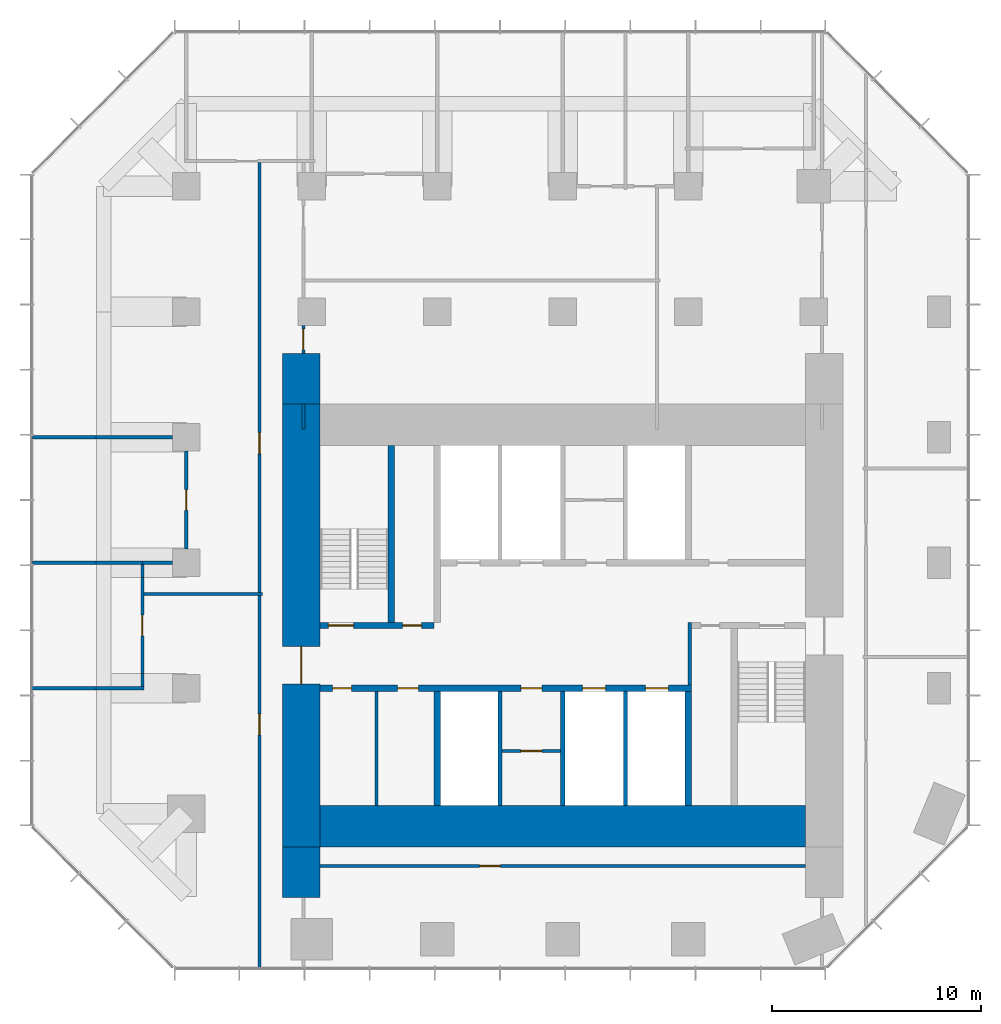
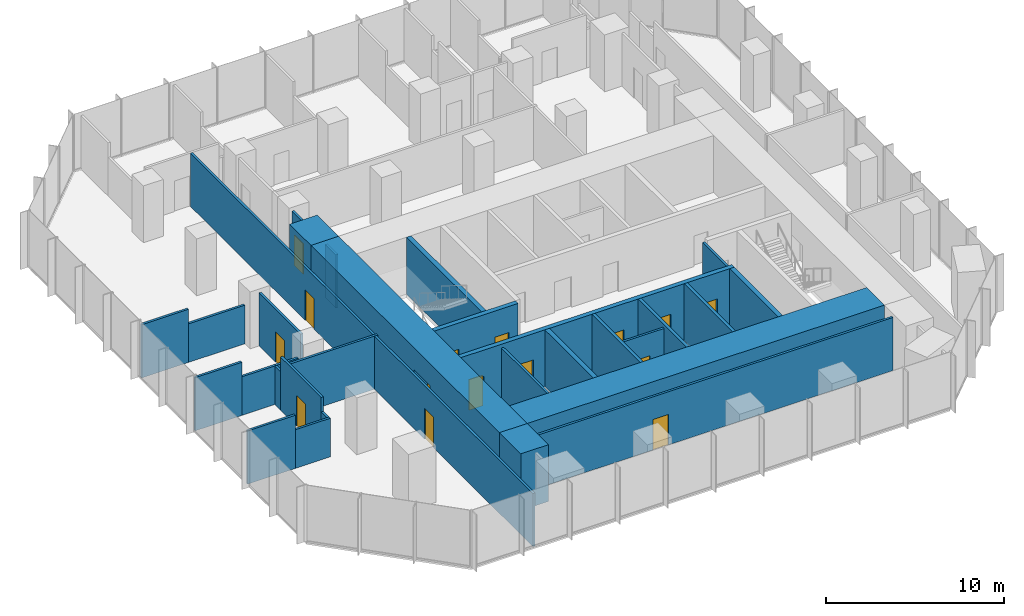
# One storey, part 8 of 11: 32 walls, 15 doors, 15 openings.
"""IFC4 building model written with IfcOpenShell, lengths in metres."""

from ifc_helpers import new_model, si_unit, direction, frame, frame_2d, origin, place, context, subcontext, project, spatial, rectangle, extrude, material, layer, layer_set, type_object, element, fill, save


model = new_model("IFC4")

# Units and contexts
model_context = context("Model", 3, precision=1e-05, world=origin(), true_north=direction((0.0, 1.0)))
body_context = subcontext(model_context, "Body", "Model", "MODEL_VIEW")
ifc_project = project(units=[si_unit("LENGTHUNIT", "METRE"), si_unit("AREAUNIT", "SQUARE_METRE"), si_unit("VOLUMEUNIT", "CUBIC_METRE"), si_unit("PLANEANGLEUNIT", "RADIAN"), si_unit("MASSUNIT", "GRAM", prefix="KILO")], contexts=[model_context])

# Site, building, storey
site_placement = place(None, origin())
site = spatial("IfcSite", under=ifc_project, at=site_placement, CompositionType="ELEMENT")
building_placement = place(site_placement, origin())
building = spatial("IfcBuilding", under=site, at=building_placement, Name="Highveld Stack Headquarters", CompositionType="ELEMENT")
storey_placement = place(building_placement, frame((0.0, 0.0, 204.5)))
storey = spatial("IfcBuildingStorey", under=building, at=storey_placement, Name="L50", CompositionType="ELEMENT", Elevation=204.5)

# Wall, opening, door
ifc_material_1 = material(Name="Concrete C60/75", Category="concrete")
ifc_layer_1 = layer(ifc_material_1, 1.800048828125)
ifc_layer_set_1 = layer_set([ifc_layer_1], Name="Concrete C60/75")
wall_type_1 = type_object("IfcWallType", Name="CORE WALL 1800 C60/75", PredefinedType="SHEAR", material=ifc_layer_set_1)
wall_1_placement = place(storey_placement, frame((-6.5, -7.60009765625, 0.0), z_axis=(0.0, 0.0, 1.0), x_axis=(0.0, 1.0, 0.0)))
wall_1 = element("IfcWall", 1, at=wall_1_placement, inside=storey, type_object=wall_type_1, Name="Core wall W L50", PredefinedType="SHEAR", context=body_context, shape_type="SweptSolid", body=[
    extrude(rectangle(XDim=21.2001953125, YDim=1.800048828125, at=frame_2d((10.60009765625, 0.0))), origin(), (0.0, 0.0, 1.0), 3.89990234375),
])
opening_1_placement = place(wall_1_placement, frame((7.800048828125, 0.0, 0.0)))
opening_1 = element("IfcOpeningElement", 2, at=opening_1_placement, cuts=wall_1, Name="Opening L50-01", PredefinedType="OPENING", context=body_context, shape_type="SweptSolid", body=[
    extrude(rectangle(XDim=1.800048828125, YDim=2.39990234375, at=frame_2d((0.89990234375, 1.199951171875))), frame((0.0, 0.909912109375, 0.0), z_axis=(0.0, -1.0, 0.0), x_axis=(1.0, 0.0, 0.0)), (0.0, 0.0, 1.0), 1.820068359375),
])
ifc_material_2 = material(Name="Steel fire door", Category="steel")
door_type_1 = type_object("IfcDoorType", Name="LOBBY FIRE DOOR D4 1800x2400", OperationType="DOUBLE_DOOR_SINGLE_SWING", PredefinedType="DOOR", material=ifc_material_2)
door_1_placement = place(opening_1_placement, origin())
door_1 = element("IfcDoor", 3, at=door_1_placement, inside=storey, type_object=door_type_1, Name="Core west door L50", OperationType="DOUBLE_DOOR_SINGLE_SWING", OverallHeight=2.39990234375, OverallWidth=1.800048828125, PredefinedType="DOOR", context=body_context, shape_type="SweptSolid", body=[
    extrude(rectangle(XDim=1.800048828125, YDim=2.39990234375, at=frame_2d((0.89990234375, 1.199951171875))), frame((0.0, 0.02490234375, 0.0), z_axis=(0.0, -1.0, 0.0), x_axis=(1.0, 0.0, 0.0)), (0.0, 0.0, 1.0), 0.050048828125),
])
fill(opening_1, door_1)

# Wall
ifc_material_3 = material(Name="Concrete C60/75", Category="concrete")
ifc_layer_2 = layer(ifc_material_3, 2.0)
ifc_layer_set_2 = layer_set([ifc_layer_2], Name="Concrete C60/75")
wall_type_2 = type_object("IfcWallType", Name="CORE WALL 2000 C60/75", PredefinedType="SHEAR", material=ifc_layer_set_2)
wall_2_placement = place(storey_placement, frame((-5.60009765625, -6.60009765625, 0.0), z_axis=(0.0, 0.0, 1.0), x_axis=(1.0, 0.0, 0.0)))
element("IfcWall", 4, at=wall_2_placement, inside=storey, type_object=wall_type_2, Name="Core wall S L50", PredefinedType="SHEAR", context=body_context, shape_type="SweptSolid", body=[
    extrude(rectangle(XDim=23.2001953125, YDim=2.0, at=frame_2d((11.60009765625, 0.0))), origin(), (0.0, 0.0, 1.0), 3.89990234375),
])

# Wall, openings, doors
ifc_material_4 = material(Name="Concrete C60/75", Category="concrete")
ifc_layer_3 = layer(ifc_material_4, 0.300048828125)
ifc_layer_set_3 = layer_set([ifc_layer_3], Name="Concrete C60/75")
wall_type_3 = type_object("IfcWallType", Name="CORE WALL 300 C60/75", PredefinedType="SHEAR", material=ifc_layer_set_3)
wall_3_placement = place(storey_placement, frame((-5.60009765625, 0.0, 0.0), z_axis=(0.0, 0.0, 1.0), x_axis=(1.0, 0.0, 0.0)))
wall_3 = element("IfcWall", 5, at=wall_3_placement, inside=storey, type_object=wall_type_3, Name="Core wall I-Y0 L50", PredefinedType="SHEAR", context=body_context, shape_type="SweptSolid", body=[
    extrude(rectangle(XDim=17.75, YDim=0.300048828125, at=frame_2d((8.875, 0.0))), origin(), (0.0, 0.0, 1.0), 3.89990234375),
])
opening_2_placement = place(wall_3_placement, frame((0.60009765625, 0.0, 0.0)))
opening_2 = element("IfcOpeningElement", 6, at=opening_2_placement, cuts=wall_3, Name="Opening L50-07", PredefinedType="OPENING", context=body_context, shape_type="SweptSolid", body=[
    extrude(rectangle(XDim=0.89990234375, YDim=2.10009765625, at=frame_2d((0.449951171875, 1.050048828125))), frame((0.0, 0.159912109375, 0.0), z_axis=(0.0, -1.0, 0.0), x_axis=(1.0, 0.0, 0.0)), (0.0, 0.0, 1.0), 0.320068359375),
])
opening_3_placement = place(wall_3_placement, frame((3.699951171875, 0.0, 0.0)))
opening_3 = element("IfcOpeningElement", 7, at=opening_3_placement, cuts=wall_3, Name="Opening L50-08", PredefinedType="OPENING", context=body_context, shape_type="SweptSolid", body=[
    extrude(rectangle(XDim=1.0, YDim=2.10009765625, at=frame_2d((0.5, 1.050048828125))), frame((0.0, 0.159912109375, 0.0), z_axis=(0.0, -1.0, 0.0), x_axis=(1.0, 0.0, 0.0)), (0.0, 0.0, 1.0), 0.320068359375),
])
opening_4_placement = place(wall_3_placement, frame((9.60009765625, 0.0, 0.0)))
opening_4 = element("IfcOpeningElement", 8, at=opening_4_placement, cuts=wall_3, Name="Opening L50-13", PredefinedType="OPENING", context=body_context, shape_type="SweptSolid", body=[
    extrude(rectangle(XDim=1.0, YDim=2.10009765625, at=frame_2d((0.5, 1.050048828125))), frame((0.0, 0.159912109375, 0.0), z_axis=(0.0, -1.0, 0.0), x_axis=(1.0, 0.0, 0.0)), (0.0, 0.0, 1.0), 0.320068359375),
])
opening_5_placement = place(wall_3_placement, frame((12.550048828125, 0.0, 0.0)))
opening_5 = element("IfcOpeningElement", 9, at=opening_5_placement, cuts=wall_3, Name="Opening LD", PredefinedType="OPENING", context=body_context, shape_type="SweptSolid", body=[
    extrude(rectangle(XDim=1.10009765625, YDim=2.10009765625, at=frame_2d((0.550048828125, 1.050048828125))), frame((0.0, 0.159912109375, 0.0), z_axis=(0.0, -1.0, 0.0), x_axis=(1.0, 0.0, 0.0)), (0.0, 0.0, 1.0), 0.320068359375),
])
opening_6_placement = place(wall_3_placement, frame((15.550048828125, 0.0, 0.0)))
opening_6 = element("IfcOpeningElement", 10, at=opening_6_placement, cuts=wall_3, Name="Opening LD", PredefinedType="OPENING", context=body_context, shape_type="SweptSolid", body=[
    extrude(rectangle(XDim=1.10009765625, YDim=2.10009765625, at=frame_2d((0.550048828125, 1.050048828125))), frame((0.0, 0.159912109375, 0.0), z_axis=(0.0, -1.0, 0.0), x_axis=(1.0, 0.0, 0.0)), (0.0, 0.0, 1.0), 0.320068359375),
])
ifc_material_5 = material(Name="Timber door, painted", Category="wood")
door_type_2 = type_object("IfcDoorType", Name="ACCESSIBLE WC DOOR D2 1000x2100", OperationType="SINGLE_SWING_RIGHT", PredefinedType="DOOR", material=ifc_material_5)
door_2_placement = place(opening_3_placement, origin())
door_2 = element("IfcDoor", 11, at=door_2_placement, inside=storey, type_object=door_type_2, Name="Accessible WC door L50", OperationType="SINGLE_SWING_LEFT", OverallHeight=2.10009765625, OverallWidth=1.0, PredefinedType="DOOR", context=body_context, shape_type="SweptSolid", body=[
    extrude(rectangle(XDim=1.0, YDim=2.10009765625, at=frame_2d((0.5, 1.050048828125))), frame((0.0, 0.02490234375, 0.0), z_axis=(0.0, -1.0, 0.0), x_axis=(1.0, 0.0, 0.0)), (0.0, 0.0, 1.0), 0.050048828125),
])
fill(opening_3, door_2)
ifc_material_6 = material(Name="Steel fire door", Category="steel")
door_type_3 = type_object("IfcDoorType", Name="CORE ROOM FIRE DOOR D14 1000x2100", OperationType="SINGLE_SWING_LEFT", PredefinedType="DOOR", material=ifc_material_6)
door_3_placement = place(opening_4_placement, origin())
door_3 = element("IfcDoor", 12, at=door_3_placement, inside=storey, type_object=door_type_3, Name="Capped B 1 door L50", OperationType="SINGLE_SWING_RIGHT", OverallHeight=2.10009765625, OverallWidth=1.0, PredefinedType="DOOR", context=body_context, shape_type="SweptSolid", body=[
    extrude(rectangle(XDim=1.0, YDim=2.10009765625, at=frame_2d((0.5, 1.050048828125))), frame((0.0, 0.02490234375, 0.0), z_axis=(0.0, -1.0, 0.0), x_axis=(1.0, 0.0, 0.0)), (0.0, 0.0, 1.0), 0.050048828125),
])
fill(opening_4, door_3)
ifc_material_7 = material(Name="Stainless steel lift landing door", Category="steel")
door_type_4 = type_object("IfcDoorType", Name="LIFT LANDING DOOR LD 1100x2100", OperationType="DOUBLE_DOOR_SLIDING", PredefinedType="USERDEFINED", material=ifc_material_7)
door_4_placement = place(opening_5_placement, origin())
door_4 = element("IfcDoor", 13, at=door_4_placement, inside=storey, type_object=door_type_4, Name="Lift landing door C1 L50", ObjectType="LIFT LANDING DOOR", OperationType="DOUBLE_DOOR_SLIDING", OverallHeight=2.10009765625, OverallWidth=1.10009765625, PredefinedType="USERDEFINED", context=body_context, shape_type="SweptSolid", body=[
    extrude(rectangle(XDim=1.10009765625, YDim=2.10009765625, at=frame_2d((0.550048828125, 1.050048828125))), frame((0.0, 0.02490234375, 0.0), z_axis=(0.0, -1.0, 0.0), x_axis=(1.0, 0.0, 0.0)), (0.0, 0.0, 1.0), 0.050048828125),
])
fill(opening_5, door_4)
door_5_placement = place(opening_6_placement, origin())
door_5 = element("IfcDoor", 14, at=door_5_placement, inside=storey, type_object=door_type_4, Name="Lift landing door C2 L50", ObjectType="LIFT LANDING DOOR", OperationType="DOUBLE_DOOR_SLIDING", OverallHeight=2.10009765625, OverallWidth=1.10009765625, PredefinedType="USERDEFINED", context=body_context, shape_type="SweptSolid", body=[
    extrude(rectangle(XDim=1.10009765625, YDim=2.10009765625, at=frame_2d((0.550048828125, 1.050048828125))), frame((0.0, 0.02490234375, 0.0), z_axis=(0.0, -1.0, 0.0), x_axis=(1.0, 0.0, 0.0)), (0.0, 0.0, 1.0), 0.050048828125),
])
fill(opening_6, door_5)
ifc_material_8 = material(Name="Timber door, painted", Category="wood")
door_type_5 = type_object("IfcDoorType", Name="WC DOOR D1 900x2100", OperationType="SINGLE_SWING_LEFT", PredefinedType="DOOR", material=ifc_material_8)
door_6_placement = place(opening_2_placement, origin())
door_6 = element("IfcDoor", 15, at=door_6_placement, inside=storey, type_object=door_type_5, Name="Female WC door L50", OperationType="SINGLE_SWING_LEFT", OverallHeight=2.10009765625, OverallWidth=0.89990234375, PredefinedType="DOOR", context=body_context, shape_type="SweptSolid", body=[
    extrude(rectangle(XDim=0.89990234375, YDim=2.10009765625, at=frame_2d((0.449951171875, 1.050048828125))), frame((0.0, 0.02490234375, 0.0), z_axis=(0.0, -1.0, 0.0), x_axis=(1.0, 0.0, 0.0)), (0.0, 0.0, 1.0), 0.050048828125),
])
fill(opening_2, door_6)

wall_4_placement = place(storey_placement, frame((-5.60009765625, 3.0, 0.0), z_axis=(0.0, 0.0, 1.0), x_axis=(1.0, 0.0, 0.0)))
wall_4 = element("IfcWall", 16, at=wall_4_placement, inside=storey, type_object=wall_type_3, Name="Core wall I-Y3W L50", PredefinedType="SHEAR", context=body_context, shape_type="SweptSolid", body=[
    extrude(rectangle(XDim=5.4501953125, YDim=0.300048828125, at=frame_2d((2.72509765625, 0.0))), origin(), (0.0, 0.0, 1.0), 3.89990234375),
])
opening_7_placement = place(wall_4_placement, frame((0.39990234375, 0.0, 0.0)))
opening_7 = element("IfcOpeningElement", 17, at=opening_7_placement, cuts=wall_4, Name="Opening L50-03", PredefinedType="OPENING", context=body_context, shape_type="SweptSolid", body=[
    extrude(rectangle(XDim=1.199951171875, YDim=2.10009765625, at=frame_2d((0.60009765625, 1.050048828125))), frame((0.0, 0.159912109375, 0.0), z_axis=(0.0, -1.0, 0.0), x_axis=(1.0, 0.0, 0.0)), (0.0, 0.0, 1.0), 0.320068359375),
])
opening_8_placement = place(wall_4_placement, frame((3.949951171875, 0.0, 0.0)))
opening_8 = element("IfcOpeningElement", 18, at=opening_8_placement, cuts=wall_4, Name="Opening L50-04", PredefinedType="OPENING", context=body_context, shape_type="SweptSolid", body=[
    extrude(rectangle(XDim=0.89990234375, YDim=2.10009765625, at=frame_2d((0.449951171875, 1.050048828125))), frame((0.0, 0.159912109375, 0.0), z_axis=(0.0, -1.0, 0.0), x_axis=(1.0, 0.0, 0.0)), (0.0, 0.0, 1.0), 0.320068359375),
])
ifc_material_9 = material(Name="Steel fire door", Category="steel")
door_type_6 = type_object("IfcDoorType", Name="RISER ACCESS DOOR D5 900x2100", OperationType="SINGLE_SWING_LEFT", PredefinedType="DOOR", material=ifc_material_9)
door_7_placement = place(opening_8_placement, origin())
door_7 = element("IfcDoor", 19, at=door_7_placement, inside=storey, type_object=door_type_6, Name="Riser R1 door L50", OperationType="SINGLE_SWING_RIGHT", OverallHeight=2.10009765625, OverallWidth=0.89990234375, PredefinedType="DOOR", context=body_context, shape_type="SweptSolid", body=[
    extrude(rectangle(XDim=0.89990234375, YDim=2.10009765625, at=frame_2d((0.449951171875, 1.050048828125))), frame((0.0, 0.02490234375, 0.0), z_axis=(0.0, -1.0, 0.0), x_axis=(1.0, 0.0, 0.0)), (0.0, 0.0, 1.0), 0.050048828125),
])
fill(opening_8, door_7)
ifc_material_10 = material(Name="Steel fire door", Category="steel")
door_type_7 = type_object("IfcDoorType", Name="STAIR FIRE DOOR D3 1200x2100", OperationType="SINGLE_SWING_LEFT", PredefinedType="DOOR", material=ifc_material_10)
door_8_placement = place(opening_7_placement, origin())
door_8 = element("IfcDoor", 20, at=door_8_placement, inside=storey, type_object=door_type_7, Name="Stair S1 door L50", OperationType="SINGLE_SWING_LEFT", OverallHeight=2.10009765625, OverallWidth=1.199951171875, PredefinedType="DOOR", context=body_context, shape_type="SweptSolid", body=[
    extrude(rectangle(XDim=1.199951171875, YDim=2.10009765625, at=frame_2d((0.60009765625, 1.050048828125))), frame((0.0, 0.02490234375, 0.0), z_axis=(0.0, -1.0, 0.0), x_axis=(1.0, 0.0, 0.0)), (0.0, 0.0, 1.0), 0.050048828125),
])
fill(opening_7, door_8)

# Walls
for number, where, z_axis, x_axis, name in (
    (21, (0.0, -5.60009765625, 0.0), (0.0, 0.0, 1.0), (0.0, 1.0, 0.0), "Core wall I-X0S L50"),
    (22, (12.0, -5.60009765625, 0.0), (0.0, 0.0, 1.0), (0.0, 1.0, 0.0), "Core wall I-X12S L50"),
):
    element("IfcWall", number, at=place(storey_placement, frame(where, z_axis=z_axis, x_axis=x_axis)), inside=storey, type_object=wall_type_3, Name=name, PredefinedType="SHEAR", context=body_context, shape_type="SweptSolid", body=[
        extrude(rectangle(XDim=5.4501953125, YDim=0.300048828125, at=frame_2d((2.72509765625, 0.0))), origin(), (0.0, 0.0, 1.0), 3.89990234375),
    ])
wall_5_placement = place(storey_placement, frame((-2.199951171875, 3.14990234375, 0.0), z_axis=(0.0, 0.0, 1.0), x_axis=(0.0, 1.0, 0.0)))
element("IfcWall", 23, at=wall_5_placement, inside=storey, type_object=wall_type_3, Name="Core wall I-RW L50", PredefinedType="SHEAR", context=body_context, shape_type="SweptSolid", body=[
    extrude(rectangle(XDim=8.4501953125, YDim=0.300048828125, at=frame_2d((4.22509765625, 0.0))), origin(), (0.0, 0.0, 1.0), 3.89990234375),
])
ifc_material_11 = material(Name="Concrete C60/75", Category="concrete")
ifc_layer_4 = layer(ifc_material_11, 1.800048828125)
ifc_layer_set_4 = layer_set([ifc_layer_4], Name="Concrete C60/75")
wall_type_4 = type_object("IfcWallType", Name="CORE WING WALL 1800 C60/75", PredefinedType="SHEAR", material=ifc_layer_set_4)
for number, where, z_axis, x_axis, name in (
    (24, (-6.5, -10.0, 0.0), (0.0, 0.0, 1.0), (0.0, 1.0, 0.0), "Core wing wall WS L50"),
    (25, (-6.5, 13.60009765625, 0.0), (0.0, 0.0, 1.0), (0.0, 1.0, 0.0), "Core wing wall WN L50"),
):
    element("IfcWall", number, at=place(storey_placement, frame(where, z_axis=z_axis, x_axis=x_axis)), inside=storey, type_object=wall_type_4, Name=name, PredefinedType="SHEAR", context=body_context, shape_type="SweptSolid", body=[
        extrude(rectangle(XDim=2.39990234375, YDim=1.800048828125, at=frame_2d((1.199951171875, 0.0))), origin(), (0.0, 0.0, 1.0), 3.89990234375),
    ])

# Wall, opening, door
ifc_material_12 = material(Name="Concrete blockwork, plastered", Category="masonry")
ifc_layer_5 = layer(ifc_material_12, 0.14990234375)
ifc_layer_set_5 = layer_set([ifc_layer_5], Name="Concrete blockwork, plastered")
wall_type_5 = type_object("IfcWallType", Name="FIRE PARTITION 150 BLOCKWORK", PredefinedType="PARTITIONING", material=ifc_layer_set_5)
wall_6_placement = place(storey_placement, frame((3.10009765625, -3.0, 0.0), z_axis=(0.0, 0.0, 1.0), x_axis=(1.0, 0.0, 0.0)))
wall_6 = element("IfcWall", 26, at=wall_6_placement, inside=storey, type_object=wall_type_5, Name="Core room partition L50", PredefinedType="PARTITIONING", context=body_context, shape_type="SweptSolid", body=[
    extrude(rectangle(XDim=2.7998046875, YDim=0.14990234375, at=frame_2d((1.39990234375, 0.0))), origin(), (0.0, 0.0, 1.0), 3.64990234375),
])
opening_9_placement = place(wall_6_placement, frame((0.89990234375, 0.0, 0.0)))
opening_9 = element("IfcOpeningElement", 27, at=opening_9_placement, cuts=wall_6, Name="Opening L50-12", PredefinedType="OPENING", context=body_context, shape_type="SweptSolid", body=[
    extrude(rectangle(XDim=1.0, YDim=2.10009765625, at=frame_2d((0.5, 1.050048828125))), frame((0.0, 0.0849609375, 0.0), z_axis=(0.0, -1.0, 0.0), x_axis=(1.0, 0.0, 0.0)), (0.0, 0.0, 1.0), 0.169921875),
])
door_9_placement = place(opening_9_placement, origin())
door_9 = element("IfcDoor", 28, at=door_9_placement, inside=storey, type_object=door_type_3, Name="Capped B 2 door L50", OperationType="SINGLE_SWING_LEFT", OverallHeight=2.10009765625, OverallWidth=1.0, PredefinedType="DOOR", context=body_context, shape_type="SweptSolid", body=[
    extrude(rectangle(XDim=1.0, YDim=2.10009765625, at=frame_2d((0.5, 1.050048828125))), frame((0.0, 0.02490234375, 0.0), z_axis=(0.0, -1.0, 0.0), x_axis=(1.0, 0.0, 0.0)), (0.0, 0.0, 1.0), 0.050048828125),
])
fill(opening_9, door_9)

# Wall
wall_7_placement = place(storey_placement, frame((12.074951171875, 0.14990234375, 0.0), z_axis=(0.0, 0.0, 1.0), x_axis=(0.0, 1.0, 0.0)))
element("IfcWall", 29, at=wall_7_placement, inside=storey, type_object=wall_type_5, Name="Riser R2 enclosure L50", PredefinedType="PARTITIONING", context=body_context, shape_type="SweptSolid", body=[
    extrude(rectangle(XDim=3.0, YDim=0.14990234375, at=frame_2d((1.5, 0.0))), origin(), (0.0, 0.0, 1.0), 3.64990234375),
])

# Wall, opening, door
ifc_material_13 = material(Name="Laminated glass in aluminium frame", Category="aluminium")
ifc_layer_6 = layer(ifc_material_13, 0.14990234375)
ifc_layer_set_6 = layer_set([ifc_layer_6], Name="Laminated glass in aluminium frame")
wall_type_6 = type_object("IfcWallType", Name="GLAZED PARTITION 150", PredefinedType="PARTITIONING", material=ifc_layer_set_6)
wall_8_placement = place(storey_placement, frame((-12.0, 6.659912109375, 0.0), z_axis=(0.0, 0.0, 1.0), x_axis=(0.0, 1.0, 0.0)))
wall_8 = element("IfcWall", 30, at=wall_8_placement, inside=storey, type_object=wall_type_6, Name="Glazed partition Meeting room L50", PredefinedType="PARTITIONING", context=body_context, shape_type="SweptSolid", body=[
    extrude(rectangle(XDim=4.68017578125, YDim=0.14990234375, at=frame_2d((2.340087890625, 0.0))), origin(), (0.0, 0.0, 1.0), 3.64990234375),
])
opening_10_placement = place(wall_8_placement, frame((1.840087890625, 0.0, 0.0)))
opening_10 = element("IfcOpeningElement", 31, at=opening_10_placement, cuts=wall_8, Name="Opening L50-15", PredefinedType="OPENING", context=body_context, shape_type="SweptSolid", body=[
    extrude(rectangle(XDim=1.0, YDim=2.10009765625, at=frame_2d((0.5, 1.050048828125))), frame((0.0, 0.0849609375, 0.0), z_axis=(0.0, -1.0, 0.0), x_axis=(1.0, 0.0, 0.0)), (0.0, 0.0, 1.0), 0.169921875),
])
ifc_material_14 = material(Name="Timber door, oiled ash", Category="wood")
door_type_8 = type_object("IfcDoorType", Name="ROOM DOOR D6 1000x2100", OperationType="SINGLE_SWING_LEFT", PredefinedType="DOOR", material=ifc_material_14)
door_10_placement = place(opening_10_placement, origin())
door_10 = element("IfcDoor", 32, at=door_10_placement, inside=storey, type_object=door_type_8, Name="Meeting room door 1 L50", OperationType="SINGLE_SWING_LEFT", OverallHeight=2.10009765625, OverallWidth=1.0, PredefinedType="DOOR", context=body_context, shape_type="SweptSolid", body=[
    extrude(rectangle(XDim=1.0, YDim=2.10009765625, at=frame_2d((0.5, 1.050048828125))), frame((0.0, 0.02490234375, 0.0), z_axis=(0.0, -1.0, 0.0), x_axis=(1.0, 0.0, 0.0)), (0.0, 0.0, 1.0), 0.050048828125),
])
fill(opening_10, door_10)

# Walls
ifc_material_15 = material(Name="Concrete blockwork, fair-faced", Category="masonry")
ifc_layer_7 = layer(ifc_material_15, 0.199951171875)
ifc_layer_set_7 = layer_set([ifc_layer_7], Name="Concrete blockwork, fair-faced")
wall_type_7 = type_object("IfcWallType", Name="LIFT SHAFT ENCLOSURE WALL 200 BLOCKWORK", PredefinedType="SOLIDWALL", material=ifc_layer_set_7)
for number, where, z_axis, x_axis, name in (
    (33, (3.0, -5.60009765625, 0.0), (0.0, 0.0, 1.0), (0.0, 1.0, 0.0), "Lift shaft wall L50"),
    (34, (6.0, -5.60009765625, 0.0), (0.0, 0.0, 1.0), (0.0, 1.0, 0.0), "Lift shaft wall L50"),
    (35, (9.0, -5.60009765625, 0.0), (0.0, 0.0, 1.0), (0.0, 1.0, 0.0), "Lift shaft wall L50"),
):
    element("IfcWall", number, at=place(storey_placement, frame(where, z_axis=z_axis, x_axis=x_axis)), inside=storey, type_object=wall_type_7, Name=name, PredefinedType="SOLIDWALL", context=body_context, shape_type="SweptSolid", body=[
        extrude(rectangle(XDim=5.4501953125, YDim=0.199951171875, at=frame_2d((2.72509765625, 0.0))), origin(), (0.0, 0.0, 1.0), 3.89990234375),
    ])
ifc_material_16 = material(Name="Gypsum plasterboard on steel studs", Category="steel")
ifc_layer_8 = layer(ifc_material_16, 0.14990234375)
ifc_layer_set_8 = layer_set([ifc_layer_8], Name="Gypsum plasterboard on steel studs")
wall_type_8 = type_object("IfcWallType", Name="PARTITION 150 PLASTERBOARD", PredefinedType="PARTITIONING", material=ifc_layer_set_8)
wall_9_placement = place(storey_placement, frame((-19.39990234375, 0.0, 0.0), z_axis=(0.0, 0.0, 1.0), x_axis=(1.0, 0.0, 0.0)))
element("IfcWall", 36, at=wall_9_placement, inside=storey, type_object=wall_type_8, Name="Partition Focus room L50", PredefinedType="PARTITIONING", context=body_context, shape_type="SweptSolid", body=[
    extrude(rectangle(XDim=3.08984375, YDim=0.14990234375, at=frame_2d((1.544921875, 0.0))), origin(), (0.0, 0.0, 1.0), 3.64990234375),
])
wall_10_placement = place(storey_placement, frame((-16.31005859375, 0.0, 0.0), z_axis=(0.0, 0.0, 1.0), x_axis=(1.0, 0.0, 0.0)))
element("IfcWall", 37, at=wall_10_placement, inside=storey, type_object=wall_type_8, Name="Partition Focus room L50", PredefinedType="PARTITIONING", context=body_context, shape_type="SweptSolid", body=[
    extrude(rectangle(XDim=2.28515625, YDim=0.14990234375, at=frame_2d((1.142578125, 0.0))), origin(), (0.0, 0.0, 1.0), 2.64990234375),
])
wall_11_placement = place(storey_placement, frame((-19.35009765625, 6.0, 0.0), z_axis=(0.0, 0.0, 1.0), x_axis=(1.0, 0.0, 0.0)))
element("IfcWall", 38, at=wall_11_placement, inside=storey, type_object=wall_type_8, Name="Partition Focus room / Meeting room L50", PredefinedType="PARTITIONING", context=body_context, shape_type="SweptSolid", body=[
    extrude(rectangle(XDim=3.0400390625, YDim=0.14990234375, at=frame_2d((1.52001953125, 0.0))), origin(), (0.0, 0.0, 1.0), 3.64990234375),
])
wall_12_placement = place(storey_placement, frame((-16.31005859375, 6.0, 0.0), z_axis=(0.0, 0.0, 1.0), x_axis=(1.0, 0.0, 0.0)))
element("IfcWall", 39, at=wall_12_placement, inside=storey, type_object=wall_type_8, Name="Partition Focus room / Meeting room L50", PredefinedType="PARTITIONING", context=body_context, shape_type="SweptSolid", body=[
    extrude(rectangle(XDim=2.28515625, YDim=0.14990234375, at=frame_2d((1.142578125, 0.0))), origin(), (0.0, 0.0, 1.0), 2.64990234375),
])
wall_13_placement = place(storey_placement, frame((-14.10009765625, 6.0, 0.0), z_axis=(0.0, 0.0, 1.0), x_axis=(1.0, 0.0, 0.0)))
element("IfcWall", 40, at=wall_13_placement, inside=storey, type_object=wall_type_8, Name="Partition Meeting room L50", PredefinedType="PARTITIONING", context=body_context, shape_type="SweptSolid", body=[
    extrude(rectangle(XDim=1.4501953125, YDim=0.14990234375, at=frame_2d((0.72509765625, 0.0))), origin(), (0.0, 0.0, 1.0), 2.64990234375),
])
wall_14_placement = place(storey_placement, frame((-19.35009765625, 12.0, 0.0), z_axis=(0.0, 0.0, 1.0), x_axis=(1.0, 0.0, 0.0)))
element("IfcWall", 41, at=wall_14_placement, inside=storey, type_object=wall_type_8, Name="Partition Meeting room L50", PredefinedType="PARTITIONING", context=body_context, shape_type="SweptSolid", body=[
    extrude(rectangle(XDim=3.0400390625, YDim=0.14990234375, at=frame_2d((1.52001953125, 0.0))), origin(), (0.0, 0.0, 1.0), 3.64990234375),
])
wall_15_placement = place(storey_placement, frame((-16.31005859375, 12.0, 0.0), z_axis=(0.0, 0.0, 1.0), x_axis=(1.0, 0.0, 0.0)))
element("IfcWall", 42, at=wall_15_placement, inside=storey, type_object=wall_type_8, Name="Partition Meeting room L50", PredefinedType="PARTITIONING", context=body_context, shape_type="SweptSolid", body=[
    extrude(rectangle(XDim=3.66015625, YDim=0.14990234375, at=frame_2d((1.830078125, 0.0))), origin(), (0.0, 0.0, 1.0), 2.64990234375),
])
wall_16_placement = place(storey_placement, frame((-14.10009765625, 0.074951171875, 0.0), z_axis=(0.0, 0.0, 1.0), x_axis=(0.0, 1.0, 0.0)))
element("IfcWall", 43, at=wall_16_placement, inside=storey, type_object=wall_type_8, Name="Partition Focus room L50", PredefinedType="PARTITIONING", context=body_context, shape_type="SweptSolid", body=[
    extrude(rectangle(XDim=0.635009765625, YDim=0.14990234375, at=frame_2d((0.3173828125, 0.0))), origin(), (0.0, 0.0, 1.0), 2.64990234375),
])

# Wall, opening, door
wall_17_placement = place(storey_placement, frame((-14.10009765625, 0.7099609375, 0.0), z_axis=(0.0, 0.0, 1.0), x_axis=(0.0, 1.0, 0.0)))
wall_17 = element("IfcWall", 44, at=wall_17_placement, inside=storey, type_object=wall_type_8, Name="Partition Focus room L50", PredefinedType="PARTITIONING", context=body_context, shape_type="SweptSolid", body=[
    extrude(rectangle(XDim=4.580078125, YDim=0.14990234375, at=frame_2d((2.2900390625, 0.0))), origin(), (0.0, 0.0, 1.0), 3.64990234375),
])
opening_11_placement = place(wall_17_placement, frame((1.7900390625, 0.0, 0.0)))
opening_11 = element("IfcOpeningElement", 45, at=opening_11_placement, cuts=wall_17, Name="Opening L50-14", PredefinedType="OPENING", context=body_context, shape_type="SweptSolid", body=[
    extrude(rectangle(XDim=1.0, YDim=2.10009765625, at=frame_2d((0.5, 1.050048828125))), frame((0.0, 0.0849609375, 0.0), z_axis=(0.0, -1.0, 0.0), x_axis=(1.0, 0.0, 0.0)), (0.0, 0.0, 1.0), 0.169921875),
])
door_11_placement = place(opening_11_placement, origin())
door_11 = element("IfcDoor", 46, at=door_11_placement, inside=storey, type_object=door_type_8, Name="Focus room door 1 L50", OperationType="SINGLE_SWING_LEFT", OverallHeight=2.10009765625, OverallWidth=1.0, PredefinedType="DOOR", context=body_context, shape_type="SweptSolid", body=[
    extrude(rectangle(XDim=1.0, YDim=2.10009765625, at=frame_2d((0.5, 1.050048828125))), frame((0.0, 0.02490234375, 0.0), z_axis=(0.0, -1.0, 0.0), x_axis=(1.0, 0.0, 0.0)), (0.0, 0.0, 1.0), 0.050048828125),
])
fill(opening_11, door_11)

# Walls
wall_18_placement = place(storey_placement, frame((-14.10009765625, 5.2900390625, 0.0), z_axis=(0.0, 0.0, 1.0), x_axis=(0.0, 1.0, 0.0)))
element("IfcWall", 47, at=wall_18_placement, inside=storey, type_object=wall_type_8, Name="Partition Focus room L50", PredefinedType="PARTITIONING", context=body_context, shape_type="SweptSolid", body=[
    extrude(rectangle(XDim=0.635009765625, YDim=0.14990234375, at=frame_2d((0.3173828125, 0.0))), origin(), (0.0, 0.0, 1.0), 2.64990234375),
])
wall_19_placement = place(storey_placement, frame((-14.02490234375, 4.5, 0.0), z_axis=(0.0, 0.0, 1.0), x_axis=(1.0, 0.0, 0.0)))
element("IfcWall", 48, at=wall_19_placement, inside=storey, type_object=wall_type_8, Name="Partition office neighbourhood L50", PredefinedType="PARTITIONING", context=body_context, shape_type="SweptSolid", body=[
    extrude(rectangle(XDim=5.6748046875, YDim=0.14990234375, at=frame_2d((2.83740234375, 0.0))), origin(), (0.0, 0.0, 1.0), 3.64990234375),
])

# Wall, opening, door
wall_20_placement = place(storey_placement, frame((-8.5, -13.39990234375, 0.0), z_axis=(0.0, 0.0, 1.0), x_axis=(0.0, 1.0, 0.0)))
wall_20 = element("IfcWall", 49, at=wall_20_placement, inside=storey, type_object=wall_type_8, Name="Partition office neighbourhood L50", PredefinedType="PARTITIONING", context=body_context, shape_type="SweptSolid", body=[
    extrude(rectangle(XDim=17.824951171875, YDim=0.14990234375, at=frame_2d((8.91259765625, 0.0))), origin(), (0.0, 0.0, 1.0), 3.64990234375),
])
opening_12_placement = place(wall_20_placement, frame((11.169921875, 0.0, 0.0)))
opening_12 = element("IfcOpeningElement", 50, at=opening_12_placement, cuts=wall_20, Name="Opening L50-21", PredefinedType="OPENING", context=body_context, shape_type="SweptSolid", body=[
    extrude(rectangle(XDim=1.0, YDim=2.10009765625, at=frame_2d((0.5, 1.050048828125))), frame((0.0, 0.0849609375, 0.0), z_axis=(0.0, -1.0, 0.0), x_axis=(1.0, 0.0, 0.0)), (0.0, 0.0, 1.0), 0.169921875),
])
door_12_placement = place(opening_12_placement, origin())
door_12 = element("IfcDoor", 51, at=door_12_placement, inside=storey, type_object=door_type_8, Name="Office neighbourhood door L50", OperationType="SINGLE_SWING_RIGHT", OverallHeight=2.10009765625, OverallWidth=1.0, PredefinedType="DOOR", context=body_context, shape_type="SweptSolid", body=[
    extrude(rectangle(XDim=1.0, YDim=2.10009765625, at=frame_2d((0.5, 1.050048828125))), frame((0.0, 0.02490234375, 0.0), z_axis=(0.0, -1.0, 0.0), x_axis=(1.0, 0.0, 0.0)), (0.0, 0.0, 1.0), 0.050048828125),
])
fill(opening_12, door_12)

wall_21_placement = place(storey_placement, frame((-8.5, 4.574951171875, 0.0), z_axis=(0.0, 0.0, 1.0), x_axis=(0.0, 1.0, 0.0)))
wall_21 = element("IfcWall", 52, at=wall_21_placement, inside=storey, type_object=wall_type_8, Name="Partition office neighbourhood L50", PredefinedType="PARTITIONING", context=body_context, shape_type="SweptSolid", body=[
    extrude(rectangle(XDim=20.550048828125, YDim=0.14990234375, at=frame_2d((10.27490234375, 0.0))), origin(), (0.0, 0.0, 1.0), 3.64990234375),
])
opening_13_placement = place(wall_21_placement, frame((6.64404296875, 0.0, 0.0)))
opening_13 = element("IfcOpeningElement", 53, at=opening_13_placement, cuts=wall_21, Name="Opening L50-24", PredefinedType="OPENING", context=body_context, shape_type="SweptSolid", body=[
    extrude(rectangle(XDim=1.0, YDim=2.10009765625, at=frame_2d((0.5, 1.050048828125))), frame((0.0, 0.0849609375, 0.0), z_axis=(0.0, -1.0, 0.0), x_axis=(1.0, 0.0, 0.0)), (0.0, 0.0, 1.0), 0.169921875),
])
door_13_placement = place(opening_13_placement, origin())
door_13 = element("IfcDoor", 54, at=door_13_placement, inside=storey, type_object=door_type_8, Name="Office neighbourhood door L50", OperationType="SINGLE_SWING_LEFT", OverallHeight=2.10009765625, OverallWidth=1.0, PredefinedType="DOOR", context=body_context, shape_type="SweptSolid", body=[
    extrude(rectangle(XDim=1.0, YDim=2.10009765625, at=frame_2d((0.5, 1.050048828125))), frame((0.0, 0.02490234375, 0.0), z_axis=(0.0, -1.0, 0.0), x_axis=(1.0, 0.0, 0.0)), (0.0, 0.0, 1.0), 0.050048828125),
])
fill(opening_13, door_13)

# Wall
wall_22_placement = place(storey_placement, frame((-6.39990234375, 12.39990234375, 0.0), z_axis=(0.0, 0.0, 1.0), x_axis=(0.0, 1.0, 0.0)))
element("IfcWall", 55, at=wall_22_placement, inside=storey, type_object=wall_type_8, Name="Partition office neighbourhood L50", PredefinedType="PARTITIONING", context=body_context, shape_type="SweptSolid", body=[
    extrude(rectangle(XDim=1.2001953125, YDim=0.14990234375, at=frame_2d((0.60009765625, 0.0))), origin(), (0.0, 0.0, 1.0), 3.64990234375),
])

# Wall, opening, door
wall_23_placement = place(storey_placement, frame((-6.39990234375, 16.0, 0.0), z_axis=(0.0, 0.0, 1.0), x_axis=(0.0, 1.0, 0.0)))
wall_23 = element("IfcWall", 56, at=wall_23_placement, inside=storey, type_object=wall_type_8, Name="Partition office neighbourhood L50", PredefinedType="PARTITIONING", context=body_context, shape_type="SweptSolid", body=[
    extrude(rectangle(XDim=1.35009765625, YDim=0.14990234375, at=frame_2d((0.675048828125, 0.0))), origin(), (0.0, 0.0, 1.0), 3.64990234375),
])
opening_14_placement = place(wall_23_placement, frame((0.175048828125, 0.0, 0.0)))
opening_14 = element("IfcOpeningElement", 57, at=opening_14_placement, cuts=wall_23, Name="Opening L50-28", PredefinedType="OPENING", context=body_context, shape_type="SweptSolid", body=[
    extrude(rectangle(XDim=1.0, YDim=2.10009765625, at=frame_2d((0.5, 1.050048828125))), frame((0.0, 0.0849609375, 0.0), z_axis=(0.0, -1.0, 0.0), x_axis=(1.0, 0.0, 0.0)), (0.0, 0.0, 1.0), 0.169921875),
])
door_14_placement = place(opening_14_placement, origin())
door_14 = element("IfcDoor", 58, at=door_14_placement, inside=storey, type_object=door_type_8, Name="Office neighbourhood door L50", OperationType="SINGLE_SWING_RIGHT", OverallHeight=2.10009765625, OverallWidth=1.0, PredefinedType="DOOR", context=body_context, shape_type="SweptSolid", body=[
    extrude(rectangle(XDim=1.0, YDim=2.10009765625, at=frame_2d((0.5, 1.050048828125))), frame((0.0, 0.02490234375, 0.0), z_axis=(0.0, -1.0, 0.0), x_axis=(1.0, 0.0, 0.0)), (0.0, 0.0, 1.0), 0.050048828125),
])
fill(opening_14, door_14)

wall_24_placement = place(storey_placement, frame((17.60009765625, -8.5, 0.0), z_axis=(0.0, 0.0, 1.0), x_axis=(-1.0, 0.0, 0.0)))
wall_24 = element("IfcWall", 59, at=wall_24_placement, inside=storey, type_object=wall_type_8, Name="Partition office neighbourhood L50", PredefinedType="PARTITIONING", context=body_context, shape_type="SweptSolid", body=[
    extrude(rectangle(XDim=23.2001953125, YDim=0.14990234375, at=frame_2d((11.60009765625, 0.0))), origin(), (0.0, 0.0, 1.0), 3.64990234375),
])
opening_15_placement = place(wall_24_placement, frame((14.580078125, 0.0, 0.0)))
opening_15 = element("IfcOpeningElement", 60, at=opening_15_placement, cuts=wall_24, Name="Opening L50-29", PredefinedType="OPENING", context=body_context, shape_type="SweptSolid", body=[
    extrude(rectangle(XDim=1.0, YDim=2.10009765625, at=frame_2d((0.5, 1.050048828125))), frame((0.0, 0.0849609375, 0.0), z_axis=(0.0, -1.0, 0.0), x_axis=(1.0, 0.0, 0.0)), (0.0, 0.0, 1.0), 0.169921875),
])
door_15_placement = place(opening_15_placement, origin())
door_15 = element("IfcDoor", 61, at=door_15_placement, inside=storey, type_object=door_type_8, Name="Office neighbourhood door L50", OperationType="SINGLE_SWING_RIGHT", OverallHeight=2.10009765625, OverallWidth=1.0, PredefinedType="DOOR", context=body_context, shape_type="SweptSolid", body=[
    extrude(rectangle(XDim=1.0, YDim=2.10009765625, at=frame_2d((0.5, 1.050048828125))), frame((0.0, 0.02490234375, 0.0), z_axis=(0.0, -1.0, 0.0), x_axis=(1.0, 0.0, 0.0)), (0.0, 0.0, 1.0), 0.050048828125),
])
fill(opening_15, door_15)

# Wall
ifc_material_17 = material(Name="Concrete blockwork, tiled", Category="masonry")
ifc_layer_9 = layer(ifc_material_17, 0.14990234375)
ifc_layer_set_9 = layer_set([ifc_layer_9], Name="Concrete blockwork, tiled")
wall_type_9 = type_object("IfcWallType", Name="WC PARTITION 150", PredefinedType="PLUMBINGWALL", material=ifc_layer_set_9)
wall_25_placement = place(storey_placement, frame((-2.89990234375, -5.60009765625, 0.0), z_axis=(0.0, 0.0, 1.0), x_axis=(0.0, 1.0, 0.0)))
element("IfcWall", 62, at=wall_25_placement, inside=storey, type_object=wall_type_9, Name="Toilet partition L50", PredefinedType="PLUMBINGWALL", context=body_context, shape_type="SweptSolid", body=[
    extrude(rectangle(XDim=5.4501953125, YDim=0.14990234375, at=frame_2d((2.72509765625, 0.0))), origin(), (0.0, 0.0, 1.0), 3.64990234375),
])

save(model, "model.ifc")
